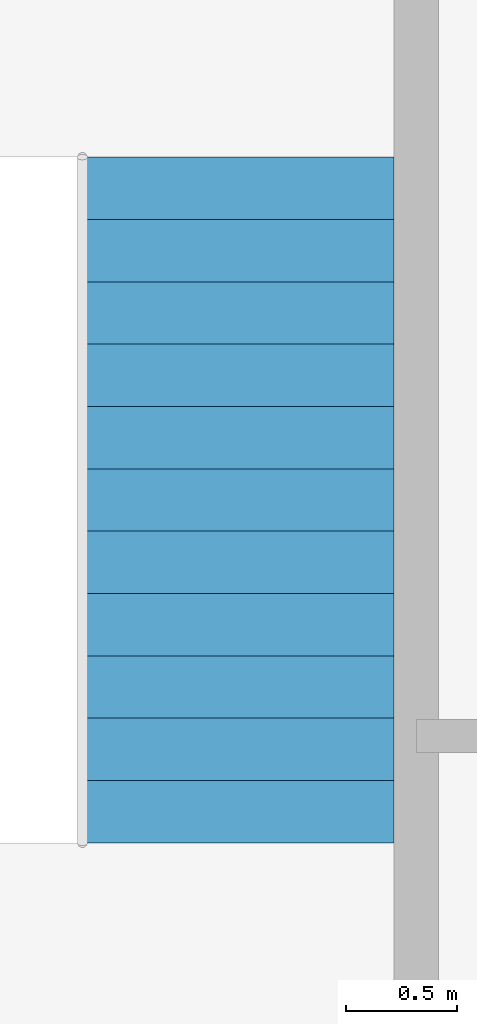
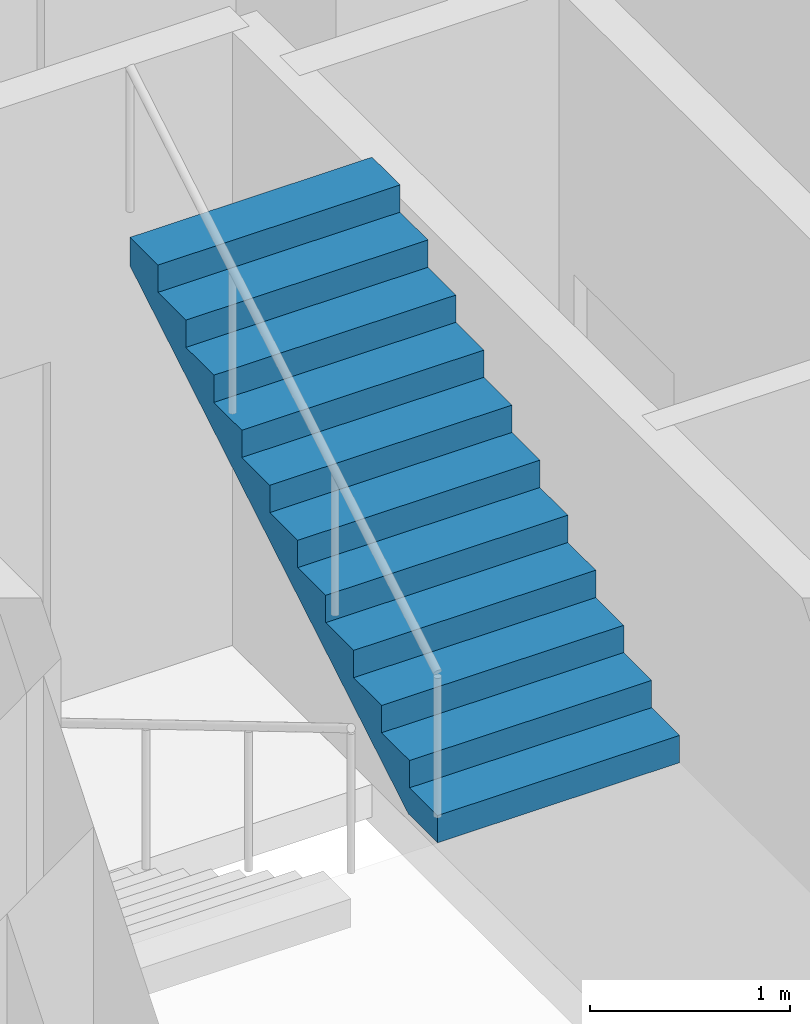
# One storey, part 12 of 17: 1 stair flight, 1 element without a shape of its own.
"""IFC4 building model written with IfcOpenShell, lengths in metres."""

from ifc_helpers import new_model, si_unit, direction, frame, origin, place, context, subcontext, project, spatial, polyline, outline, extrude, material, type_object, element, aggregate, save


model = new_model("IFC4")

# Units and contexts
model_context = context("Model", 3, precision=1e-05, world=origin(), true_north=direction((0.0, 1.0)))
body_context = subcontext(model_context, "Body", "Model", "MODEL_VIEW")
ifc_project = project(units=[si_unit("LENGTHUNIT", "METRE"), si_unit("AREAUNIT", "SQUARE_METRE"), si_unit("VOLUMEUNIT", "CUBIC_METRE"), si_unit("PLANEANGLEUNIT", "RADIAN"), si_unit("MASSUNIT", "GRAM", prefix="KILO")], contexts=[model_context])

# Site, building, storey
site_placement = place(None, origin())
site = spatial("IfcSite", under=ifc_project, at=site_placement, CompositionType="ELEMENT")
building_placement = place(site_placement, origin())
building = spatial("IfcBuilding", under=site, at=building_placement, Name="Malebo Sky Hospital", CompositionType="ELEMENT")
storey_placement = place(building_placement, frame((0.0, 0.0, 237.0)))
storey = spatial("IfcBuildingStorey", under=building, at=storey_placement, Name="L57", CompositionType="ELEMENT", Elevation=237.0)

# Stair, stair flight
ifc_material = material(Name="Concrete C40/50", Category="concrete")
stair_type = type_object("IfcStairType", Name="HALF-TURN STAIR 1400 R167", PredefinedType="HALF_TURN_STAIR", material=ifc_material)
stair_placement = place(storey_placement, origin())
stair = element("IfcStair", 1, at=stair_placement, inside=storey, type_object=stair_type, Name="Stair S3 L57 type ST1B", PredefinedType="HALF_TURN_STAIR")
stair_flight_type = type_object("IfcStairFlightType", Name="STAIR FLIGHT 1400 R167", PredefinedType="STRAIGHT", material=ifc_material)
stair_flight_placement = place(storey_placement, frame((71.699951171875, 70.52001953125, 2.0), z_axis=(0.0, 0.0, 1.0), x_axis=(0.0, 1.0, 0.0)))
stair_flight = element("IfcStairFlight", 2, at=stair_flight_placement, type_object=stair_flight_type, Name="S3 flight 2 type SF1B", NumberOfRisers=12, NumberOfTreads=11, PredefinedType="STRAIGHT", RiserHeight=0.166666667, TreadLength=0.28, context=body_context, shape_type="SweptSolid", body=[
    extrude(outline(polyline([(0.0, 0.0), (0.0, 0.166748046875), (0.280029296875, 0.166748046875), (0.280029296875, 0.333251953125), (0.56005859375, 0.333251953125), (0.56005859375, 0.5), (0.840087890625, 0.5), (0.840087890625, 0.666748046875), (1.1201171875, 0.666748046875), (1.1201171875, 0.833251953125), (1.39990234375, 0.833251953125), (1.39990234375, 1.0), (1.679931640625, 1.0), (1.679931640625, 1.166748046875), (1.9599609375, 1.166748046875), (1.9599609375, 1.333251953125), (2.239990234375, 1.333251953125), (2.239990234375, 1.5), (2.52001953125, 1.5), (2.52001953125, 1.666748046875), (2.800048828125, 1.666748046875), (2.800048828125, 1.833251953125), (3.080078125, 1.833251953125), (3.080078125, 2.0), (3.080078125, 1.658935546875), (0.29296875, 0.0), (0.0, 0.0)])), frame((0.0, 0.699951171875, 0.0), z_axis=(0.0, -1.0, 0.0), x_axis=(1.0, 0.0, 0.0)), (0.0, 0.0, 1.0), 1.39990234375),
])
aggregate(stair, [stair_flight])

save(model, "model.ifc")
